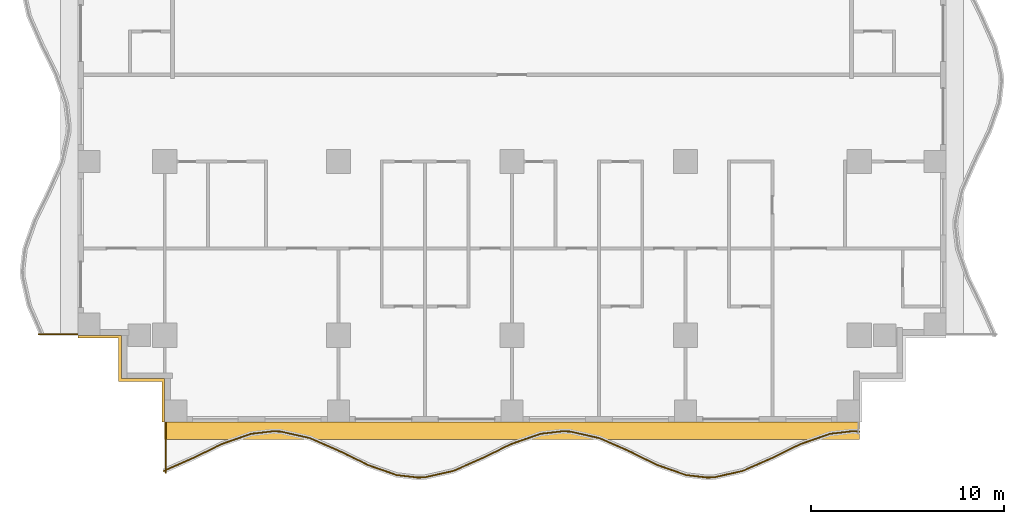
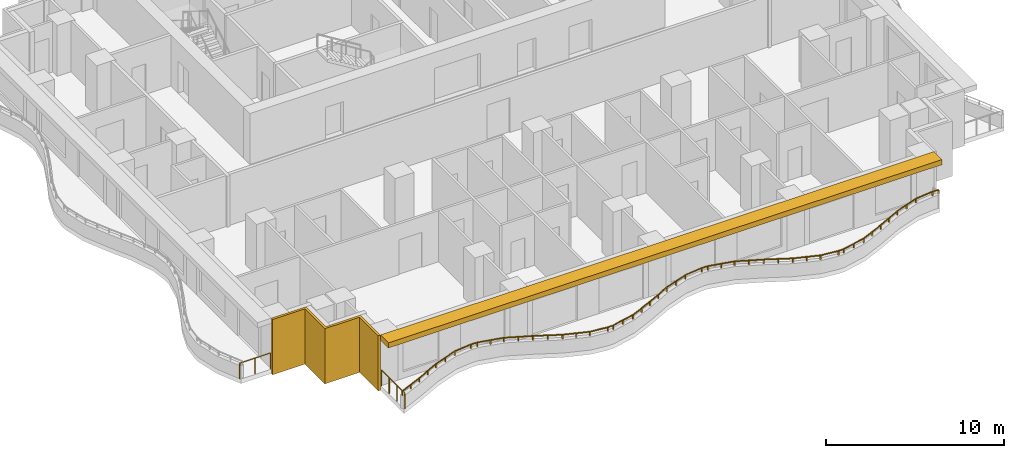
# One storey, part 7 of 10: 3 railings, 2 shading devices.
"""IFC4 building model written with IfcOpenShell, lengths in metres."""

from ifc_helpers import new_model, si_unit, direction, frame, origin, origin_2d, place, context, subcontext, project, spatial, polyline, rectangle, outline, extrude, material, layer, layer_set, type_object, element, save


model = new_model("IFC4")

# Units and contexts
model_context = context("Model", 3, precision=1e-05, world=origin(), true_north=direction((0.0, 1.0)))
body_context = subcontext(model_context, "Body", "Model", "MODEL_VIEW")
ifc_project = project(units=[si_unit("LENGTHUNIT", "METRE"), si_unit("AREAUNIT", "SQUARE_METRE"), si_unit("VOLUMEUNIT", "CUBIC_METRE"), si_unit("PLANEANGLEUNIT", "RADIAN"), si_unit("MASSUNIT", "GRAM", prefix="KILO")], contexts=[model_context])

# Site, building, storey
site_placement = place(None, origin())
site = spatial("IfcSite", under=ifc_project, at=site_placement, CompositionType="ELEMENT")
building_placement = place(site_placement, origin())
building = spatial("IfcBuilding", under=site, at=building_placement, Name="Orbiselva Terraces", CompositionType="ELEMENT")
storey_placement = place(building_placement, frame((0.0, 0.0, 155.4)))
storey = spatial("IfcBuildingStorey", under=building, at=storey_placement, Name="L39", CompositionType="ELEMENT", Elevation=155.4)

# Railings
ifc_material_1 = material(Name="Bonded two-ply safety glass balustrade, stainless steel posts", Category="steel")
railing_type_1 = type_object("IfcRailingType", Name="ENV-BALUSTRADE-1200", PredefinedType="BALUSTRADE", material=ifc_material_1)
railing_1_placement = place(storey_placement, frame((-18.050394, -20.534136, 0.9)))
element("IfcRailing", 1, at=railing_1_placement, inside=storey, type_object=railing_type_1, Name="Balcony balustrade L39 S", PredefinedType="BALUSTRADE", context=body_context, shape_type="SweptSolid", body=[
    extrude(outline(polyline([(0.028868, 0.0), (0.014434, 0.025), (-0.014434, 0.025), (-0.028868, 0.0), (-0.014434, -0.025), (0.014434, -0.025), (0.028868, 0.0)])), frame((0.0, 0.0, 0.275), z_axis=(0.915133498047, 0.403150940408, 0.0), x_axis=(-0.403150940408, 0.915133498047, 0.0)), (0.0, 0.0, 1.0), 1.636648),
    extrude(outline(polyline([(0.028868, 0.0), (0.014434, 0.025), (-0.014434, 0.025), (-0.028868, 0.0), (-0.014434, -0.025), (0.014434, -0.025), (0.028868, 0.0)])), frame((1.497751, 0.659816, 0.275), z_axis=(0.898578870221, 0.438812048596, 0.0), x_axis=(-0.438812048596, 0.898578870221, 0.0)), (0.0, 0.0, 1.0), 1.674225),
    extrude(outline(polyline([(0.028868, 0.0), (0.014434, 0.025), (-0.014434, 0.025), (-0.028868, 0.0), (-0.014434, -0.025), (0.014434, -0.025), (0.028868, 0.0)])), frame((3.002174, 1.394486, 0.275), z_axis=(0.943972332783, 0.330024597479, 0.0), x_axis=(-0.330024597479, 0.943972332783, 0.0)), (0.0, 0.0, 1.0), 1.610253),
    extrude(outline(polyline([(0.028868, 0.0), (0.014434, 0.025), (-0.014434, 0.025), (-0.028868, 0.0), (-0.014434, -0.025), (0.014434, -0.025), (0.028868, 0.0)])), frame((4.522208, 1.925909, 0.275), z_axis=(0.993309551734, 0.115482182324, 0.0), x_axis=(-0.115482182324, 0.993309551734, 0.0)), (0.0, 0.0, 1.0), 1.156135),
    extrude(outline(polyline([(0.028868, 0.0), (0.014434, 0.025), (-0.014434, 0.025), (-0.028868, 0.0), (-0.014434, -0.025), (0.014434, -0.025), (0.028868, 0.0)])), frame((5.670608, 2.059422, 0.275), z_axis=(0.999224734286, -0.03936915532, 0.0), x_axis=(0.03936915532, 0.999224734286, 0.0)), (0.0, 0.0, 1.0), 0.396376),
    extrude(outline(polyline([(0.028868, 0.0), (0.014434, 0.025), (-0.014434, 0.025), (-0.028868, 0.0), (-0.014434, -0.025), (0.014434, -0.025), (0.028868, 0.0)])), frame((6.066677, 2.043817, 0.275), z_axis=(0.97572137947, -0.219015500924, 0.0), x_axis=(0.219015500924, 0.97572137947, 0.0)), (0.0, 0.0, 1.0), 1.560867),
    extrude(outline(polyline([(0.028868, 0.0), (0.014434, 0.025), (-0.014434, 0.025), (-0.028868, 0.0), (-0.014434, -0.025), (0.014434, -0.025), (0.028868, 0.0)])), frame((7.589648, 1.701963, 0.275), z_axis=(0.915133527237, -0.403150874148, 0.0), x_axis=(0.403150874148, 0.915133527237, 0.0)), (0.0, 0.0, 1.0), 1.653736),
    extrude(outline(polyline([(0.028868, 0.0), (0.014434, 0.025), (-0.014434, 0.025), (-0.028868, 0.0), (-0.014434, -0.025), (0.014434, -0.025), (0.028868, 0.0)])), frame((9.103037, 1.035258, 0.275), z_axis=(0.89857890432, -0.438811978768, 0.0), x_axis=(0.438811978768, 0.89857890432, 0.0)), (0.0, 0.0, 1.0), 1.66438),
    extrude(outline(polyline([(0.028868, 0.0), (0.014434, 0.025), (-0.014434, 0.025), (-0.028868, 0.0), (-0.014434, -0.025), (0.014434, -0.025), (0.028868, 0.0)])), frame((10.598614, 0.304908, 0.275), z_axis=(0.943972277814, -0.330024754707, 0.0), x_axis=(0.330024754707, 0.943972277814, 0.0)), (0.0, 0.0, 1.0), 1.567807),
    extrude(outline(polyline([(0.028868, 0.0), (0.014434, 0.025), (-0.014434, 0.025), (-0.028868, 0.0), (-0.014434, -0.025), (0.014434, -0.025), (0.028868, 0.0)])), frame((12.07858, -0.212507, 0.275), z_axis=(0.993309658409, -0.115481264762, 0.0), x_axis=(0.115481264762, 0.993309658409, 0.0)), (0.0, 0.0, 1.0), 1.10902),
    extrude(outline(polyline([(0.028868, 0.0), (0.014434, 0.025), (-0.014434, 0.025), (-0.028868, 0.0), (-0.014434, -0.025), (0.014434, -0.025), (0.028868, 0.0)])), frame((13.18018, -0.340578, 0.275), z_axis=(0.999224931454, 0.039364150694, 0.0), x_axis=(-0.039364150694, 0.999224931454, 0.0)), (0.0, 0.0, 1.0), 0.354206),
    extrude(outline(polyline([(0.028868, 0.0), (0.014434, 0.025), (-0.014434, 0.025), (-0.028868, 0.0), (-0.014434, -0.025), (0.014434, -0.025), (0.028868, 0.0)])), frame((13.534111, -0.326635, 0.275), z_axis=(0.975721325753, 0.219015740235, 0.0), x_axis=(-0.219015740235, 0.975721325753, 0.0)), (0.0, 0.0, 1.0), 1.513782),
    extrude(outline(polyline([(0.028868, 0.0), (0.014434, 0.025), (-0.014434, 0.025), (-0.028868, 0.0), (-0.014434, -0.025), (0.014434, -0.025), (0.028868, 0.0)])), frame((15.01114, 0.004907, 0.275), z_axis=(0.915133363686, 0.403151245402, 0.0), x_axis=(-0.403151245402, 0.915133363686, 0.0)), (0.0, 0.0, 1.0), 1.624475),
    extrude(outline(polyline([(0.028868, 0.0), (0.014434, 0.025), (-0.014434, 0.025), (-0.028868, 0.0), (-0.014434, -0.025), (0.014434, -0.025), (0.028868, 0.0)])), frame((16.497751, 0.659816, 0.275), z_axis=(0.898578870221, 0.438812048596, 0.0), x_axis=(-0.438812048596, 0.898578870221, 0.0)), (0.0, 0.0, 1.0), 1.674225),
    extrude(outline(polyline([(0.028868, 0.0), (0.014434, 0.025), (-0.014434, 0.025), (-0.028868, 0.0), (-0.014434, -0.025), (0.014434, -0.025), (0.028868, 0.0)])), frame((18.002174, 1.394486, 0.275), z_axis=(0.943972332783, 0.330024597479, 0.0), x_axis=(-0.330024597479, 0.943972332783, 0.0)), (0.0, 0.0, 1.0), 1.610253),
    extrude(outline(polyline([(0.028868, 0.0), (0.014434, 0.025), (-0.014434, 0.025), (-0.028868, 0.0), (-0.014434, -0.025), (0.014434, -0.025), (0.028868, 0.0)])), frame((19.522208, 1.925909, 0.275), z_axis=(0.993309551734, 0.115482182324, 0.0), x_axis=(-0.115482182324, 0.993309551734, 0.0)), (0.0, 0.0, 1.0), 1.156135),
    extrude(outline(polyline([(0.028868, 0.0), (0.014434, 0.025), (-0.014434, 0.025), (-0.028868, 0.0), (-0.014434, -0.025), (0.014434, -0.025), (0.028868, 0.0)])), frame((20.670608, 2.059422, 0.275), z_axis=(0.999224734286, -0.03936915532, 0.0), x_axis=(0.03936915532, 0.999224734286, 0.0)), (0.0, 0.0, 1.0), 0.396376),
    extrude(outline(polyline([(0.028868, 0.0), (0.014434, 0.025), (-0.014434, 0.025), (-0.028868, 0.0), (-0.014434, -0.025), (0.014434, -0.025), (0.028868, 0.0)])), frame((21.066677, 2.043817, 0.275), z_axis=(0.97572137947, -0.219015500924, 0.0), x_axis=(0.219015500924, 0.97572137947, 0.0)), (0.0, 0.0, 1.0), 1.560867),
    extrude(outline(polyline([(0.028868, 0.0), (0.014434, 0.025), (-0.014434, 0.025), (-0.028868, 0.0), (-0.014434, -0.025), (0.014434, -0.025), (0.028868, 0.0)])), frame((22.589648, 1.701963, 0.275), z_axis=(0.915133527237, -0.403150874148, 0.0), x_axis=(0.403150874148, 0.915133527237, 0.0)), (0.0, 0.0, 1.0), 1.653736),
    extrude(outline(polyline([(0.028868, 0.0), (0.014434, 0.025), (-0.014434, 0.025), (-0.028868, 0.0), (-0.014434, -0.025), (0.014434, -0.025), (0.028868, 0.0)])), frame((24.103037, 1.035258, 0.275), z_axis=(0.89857890432, -0.438811978768, 0.0), x_axis=(0.438811978768, 0.89857890432, 0.0)), (0.0, 0.0, 1.0), 1.66438),
    extrude(outline(polyline([(0.028868, 0.0), (0.014434, 0.025), (-0.014434, 0.025), (-0.028868, 0.0), (-0.014434, -0.025), (0.014434, -0.025), (0.028868, 0.0)])), frame((25.598614, 0.304908, 0.275), z_axis=(0.943972277814, -0.330024754707, 0.0), x_axis=(0.330024754707, 0.943972277814, 0.0)), (0.0, 0.0, 1.0), 1.567807),
    extrude(outline(polyline([(0.028868, 0.0), (0.014434, 0.025), (-0.014434, 0.025), (-0.028868, 0.0), (-0.014434, -0.025), (0.014434, -0.025), (0.028868, 0.0)])), frame((27.07858, -0.212507, 0.275), z_axis=(0.993309658409, -0.115481264762, 0.0), x_axis=(0.115481264762, 0.993309658409, 0.0)), (0.0, 0.0, 1.0), 1.10902),
    extrude(outline(polyline([(0.028868, 0.0), (0.014434, 0.025), (-0.014434, 0.025), (-0.028868, 0.0), (-0.014434, -0.025), (0.014434, -0.025), (0.028868, 0.0)])), frame((28.18018, -0.340578, 0.275), z_axis=(0.999224931454, 0.039364150694, 0.0), x_axis=(-0.039364150694, 0.999224931454, 0.0)), (0.0, 0.0, 1.0), 0.354206),
    extrude(outline(polyline([(0.028868, 0.0), (0.014434, 0.025), (-0.014434, 0.025), (-0.028868, 0.0), (-0.014434, -0.025), (0.014434, -0.025), (0.028868, 0.0)])), frame((28.534111, -0.326635, 0.275), z_axis=(0.975721325753, 0.219015740235, 0.0), x_axis=(-0.219015740235, 0.975721325753, 0.0)), (0.0, 0.0, 1.0), 1.513782),
    extrude(outline(polyline([(0.028868, 0.0), (0.014434, 0.025), (-0.014434, 0.025), (-0.028868, 0.0), (-0.014434, -0.025), (0.014434, -0.025), (0.028868, 0.0)])), frame((30.01114, 0.004907, 0.275), z_axis=(0.915133363686, 0.403151245402, 0.0), x_axis=(-0.403151245402, 0.915133363686, 0.0)), (0.0, 0.0, 1.0), 1.624475),
    extrude(outline(polyline([(0.028868, 0.0), (0.014434, 0.025), (-0.014434, 0.025), (-0.028868, 0.0), (-0.014434, -0.025), (0.014434, -0.025), (0.028868, 0.0)])), frame((31.497751, 0.659816, 0.275), z_axis=(0.898578870221, 0.438812048596, 0.0), x_axis=(-0.438812048596, 0.898578870221, 0.0)), (0.0, 0.0, 1.0), 1.674225),
    extrude(outline(polyline([(0.028868, 0.0), (0.014434, 0.025), (-0.014434, 0.025), (-0.028868, 0.0), (-0.014434, -0.025), (0.014434, -0.025), (0.028868, 0.0)])), frame((33.002174, 1.394486, 0.275), z_axis=(0.943972332783, 0.330024597479, 0.0), x_axis=(-0.330024597479, 0.943972332783, 0.0)), (0.0, 0.0, 1.0), 1.610253),
    extrude(outline(polyline([(0.028868, 0.0), (0.014434, 0.025), (-0.014434, 0.025), (-0.028868, 0.0), (-0.014434, -0.025), (0.014434, -0.025), (0.028868, 0.0)])), frame((34.522208, 1.925909, 0.275), z_axis=(0.993309551734, 0.115482182324, 0.0), x_axis=(-0.115482182324, 0.993309551734, 0.0)), (0.0, 0.0, 1.0), 1.156135),
    extrude(outline(polyline([(0.028868, 0.0), (0.014434, 0.025), (-0.014434, 0.025), (-0.028868, 0.0), (-0.014434, -0.025), (0.014434, -0.025), (0.028868, 0.0)])), frame((35.670608, 2.059422, 0.275), z_axis=(0.999224769087, -0.039368272023, 0.0), x_axis=(0.039368272023, 0.999224769087, 0.0)), (0.0, 0.0, 1.0), 0.385005),
    extrude(rectangle(XDim=0.05, YDim=0.05, at=origin_2d()), origin(), (0.0, 0.0, 1.0), 0.25),
    extrude(rectangle(XDim=0.05, YDim=0.05, at=origin_2d()), frame((0.748876, 0.329908, 0.0)), (0.0, 0.0, 1.0), 0.25),
    extrude(rectangle(XDim=0.05, YDim=0.05, at=origin_2d()), frame((1.497751, 0.659816, 0.0)), (0.0, 0.0, 1.0), 0.25),
    extrude(rectangle(XDim=0.05, YDim=0.05, at=origin_2d()), frame((2.249963, 1.027151, 0.0)), (0.0, 0.0, 1.0), 0.25),
    extrude(rectangle(XDim=0.05, YDim=0.05, at=origin_2d()), frame((3.002174, 1.394486, 0.0)), (0.0, 0.0, 1.0), 0.25),
    extrude(rectangle(XDim=0.05, YDim=0.05, at=origin_2d()), frame((3.762191, 1.660198, 0.0)), (0.0, 0.0, 1.0), 0.25),
    extrude(rectangle(XDim=0.05, YDim=0.05, at=origin_2d()), frame((4.522208, 1.925909, 0.0)), (0.0, 0.0, 1.0), 0.25),
    extrude(rectangle(XDim=0.05, YDim=0.05, at=origin_2d()), frame((5.670608, 2.059422, 0.0)), (0.0, 0.0, 1.0), 0.25),
    extrude(rectangle(XDim=0.05, YDim=0.05, at=origin_2d()), frame((6.066677, 2.043817, 0.0)), (0.0, 0.0, 1.0), 0.25),
    extrude(rectangle(XDim=0.05, YDim=0.05, at=origin_2d()), frame((6.828162, 1.87289, 0.0)), (0.0, 0.0, 1.0), 0.25),
    extrude(rectangle(XDim=0.05, YDim=0.05, at=origin_2d()), frame((7.589648, 1.701963, 0.0)), (0.0, 0.0, 1.0), 0.25),
    extrude(rectangle(XDim=0.05, YDim=0.05, at=origin_2d()), frame((8.346342, 1.36861, 0.0)), (0.0, 0.0, 1.0), 0.25),
    extrude(rectangle(XDim=0.05, YDim=0.05, at=origin_2d()), frame((9.103037, 1.035258, 0.0)), (0.0, 0.0, 1.0), 0.25),
    extrude(rectangle(XDim=0.05, YDim=0.05, at=origin_2d()), frame((9.850826, 0.670083, 0.0)), (0.0, 0.0, 1.0), 0.25),
    extrude(rectangle(XDim=0.05, YDim=0.05, at=origin_2d()), frame((10.598614, 0.304908, 0.0)), (0.0, 0.0, 1.0), 0.25),
    extrude(rectangle(XDim=0.05, YDim=0.05, at=origin_2d()), frame((11.338597, 0.046201, 0.0)), (0.0, 0.0, 1.0), 0.25),
    extrude(rectangle(XDim=0.05, YDim=0.05, at=origin_2d()), frame((12.07858, -0.212507, 0.0)), (0.0, 0.0, 1.0), 0.25),
    extrude(rectangle(XDim=0.05, YDim=0.05, at=origin_2d()), frame((13.18018, -0.340578, 0.0)), (0.0, 0.0, 1.0), 0.25),
    extrude(rectangle(XDim=0.05, YDim=0.05, at=origin_2d()), frame((13.534111, -0.326635, 0.0)), (0.0, 0.0, 1.0), 0.25),
    extrude(rectangle(XDim=0.05, YDim=0.05, at=origin_2d()), frame((14.272626, -0.160864, 0.0)), (0.0, 0.0, 1.0), 0.25),
    extrude(rectangle(XDim=0.05, YDim=0.05, at=origin_2d()), frame((15.01114, 0.004907, 0.0)), (0.0, 0.0, 1.0), 0.25),
    extrude(rectangle(XDim=0.05, YDim=0.05, at=origin_2d()), frame((15.754446, 0.332361, 0.0)), (0.0, 0.0, 1.0), 0.25),
    extrude(rectangle(XDim=0.05, YDim=0.05, at=origin_2d()), frame((16.497751, 0.659816, 0.0)), (0.0, 0.0, 1.0), 0.25),
    extrude(rectangle(XDim=0.05, YDim=0.05, at=origin_2d()), frame((17.249963, 1.027151, 0.0)), (0.0, 0.0, 1.0), 0.25),
    extrude(rectangle(XDim=0.05, YDim=0.05, at=origin_2d()), frame((18.002174, 1.394486, 0.0)), (0.0, 0.0, 1.0), 0.25),
    extrude(rectangle(XDim=0.05, YDim=0.05, at=origin_2d()), frame((18.762191, 1.660198, 0.0)), (0.0, 0.0, 1.0), 0.25),
    extrude(rectangle(XDim=0.05, YDim=0.05, at=origin_2d()), frame((19.522208, 1.925909, 0.0)), (0.0, 0.0, 1.0), 0.25),
    extrude(rectangle(XDim=0.05, YDim=0.05, at=origin_2d()), frame((20.670608, 2.059422, 0.0)), (0.0, 0.0, 1.0), 0.25),
    extrude(rectangle(XDim=0.05, YDim=0.05, at=origin_2d()), frame((21.066677, 2.043817, 0.0)), (0.0, 0.0, 1.0), 0.25),
    extrude(rectangle(XDim=0.05, YDim=0.05, at=origin_2d()), frame((21.828162, 1.87289, 0.0)), (0.0, 0.0, 1.0), 0.25),
    extrude(rectangle(XDim=0.05, YDim=0.05, at=origin_2d()), frame((22.589648, 1.701963, 0.0)), (0.0, 0.0, 1.0), 0.25),
    extrude(rectangle(XDim=0.05, YDim=0.05, at=origin_2d()), frame((23.346342, 1.36861, 0.0)), (0.0, 0.0, 1.0), 0.25),
    extrude(rectangle(XDim=0.05, YDim=0.05, at=origin_2d()), frame((24.103037, 1.035258, 0.0)), (0.0, 0.0, 1.0), 0.25),
    extrude(rectangle(XDim=0.05, YDim=0.05, at=origin_2d()), frame((24.850826, 0.670083, 0.0)), (0.0, 0.0, 1.0), 0.25),
    extrude(rectangle(XDim=0.05, YDim=0.05, at=origin_2d()), frame((25.598614, 0.304908, 0.0)), (0.0, 0.0, 1.0), 0.25),
    extrude(rectangle(XDim=0.05, YDim=0.05, at=origin_2d()), frame((26.338597, 0.046201, 0.0)), (0.0, 0.0, 1.0), 0.25),
    extrude(rectangle(XDim=0.05, YDim=0.05, at=origin_2d()), frame((27.07858, -0.212507, 0.0)), (0.0, 0.0, 1.0), 0.25),
    extrude(rectangle(XDim=0.05, YDim=0.05, at=origin_2d()), frame((28.18018, -0.340578, 0.0)), (0.0, 0.0, 1.0), 0.25),
    extrude(rectangle(XDim=0.05, YDim=0.05, at=origin_2d()), frame((28.534111, -0.326635, 0.0)), (0.0, 0.0, 1.0), 0.25),
    extrude(rectangle(XDim=0.05, YDim=0.05, at=origin_2d()), frame((29.272626, -0.160864, 0.0)), (0.0, 0.0, 1.0), 0.25),
    extrude(rectangle(XDim=0.05, YDim=0.05, at=origin_2d()), frame((30.01114, 0.004907, 0.0)), (0.0, 0.0, 1.0), 0.25),
    extrude(rectangle(XDim=0.05, YDim=0.05, at=origin_2d()), frame((30.754446, 0.332361, 0.0)), (0.0, 0.0, 1.0), 0.25),
    extrude(rectangle(XDim=0.05, YDim=0.05, at=origin_2d()), frame((31.497751, 0.659816, 0.0)), (0.0, 0.0, 1.0), 0.25),
    extrude(rectangle(XDim=0.05, YDim=0.05, at=origin_2d()), frame((32.249962, 1.027151, 0.0)), (0.0, 0.0, 1.0), 0.25),
    extrude(rectangle(XDim=0.05, YDim=0.05, at=origin_2d()), frame((33.002174, 1.394486, 0.0)), (0.0, 0.0, 1.0), 0.25),
    extrude(rectangle(XDim=0.05, YDim=0.05, at=origin_2d()), frame((33.762191, 1.660198, 0.0)), (0.0, 0.0, 1.0), 0.25),
    extrude(rectangle(XDim=0.05, YDim=0.05, at=origin_2d()), frame((34.522208, 1.925909, 0.0)), (0.0, 0.0, 1.0), 0.25),
    extrude(rectangle(XDim=0.05, YDim=0.05, at=origin_2d()), frame((35.670608, 2.059422, 0.0)), (0.0, 0.0, 1.0), 0.25),
    extrude(rectangle(XDim=0.05, YDim=0.05, at=origin_2d()), frame((36.055315, 2.044265, 0.0)), (0.0, 0.0, 1.0), 0.25),
])
ifc_material_2 = material(Name="Stainless steel rail and posts", Category="steel")
railing_type_2 = type_object("IfcRailingType", Name="ENV-GUARD-1105", PredefinedType="BALUSTRADE", material=ifc_material_2)
railing_2_placement = place(storey_placement, frame((-17.94, -20.626937, 0.0)))
element("IfcRailing", 2, at=railing_2_placement, inside=storey, type_object=railing_type_2, Name="Balcony end guard L39 S", PredefinedType="BALUSTRADE", context=body_context, shape_type="SweptSolid", body=[
    extrude(outline(polyline([(0.028868, 0.0), (0.014434, 0.025), (-0.014434, 0.025), (-0.028868, 0.0), (-0.014434, -0.025), (0.014434, -0.025), (0.028868, 0.0)])), frame((0.0, 0.0, 1.08), z_axis=(0.0, 1.0, 0.0), x_axis=(-1.0, 0.0, 0.0)), (0.0, 0.0, 1.0), 2.601937),
    extrude(rectangle(XDim=0.05, YDim=0.05, at=origin_2d()), origin(), (0.0, 0.0, 1.0), 1.055),
    extrude(rectangle(XDim=0.05, YDim=0.05, at=origin_2d()), frame((0.0, 0.867312, 0.0)), (0.0, 0.0, 1.0), 1.055),
    extrude(rectangle(XDim=0.05, YDim=0.05, at=origin_2d()), frame((0.0, 1.734625, 0.0)), (0.0, 0.0, 1.0), 1.055),
    extrude(rectangle(XDim=0.05, YDim=0.05, at=origin_2d()), frame((0.0, 2.601937, 0.0)), (0.0, 0.0, 1.0), 1.055),
])
railing_3_placement = place(storey_placement, frame((-24.517447, -13.44, 0.0)))
element("IfcRailing", 3, at=railing_3_placement, inside=storey, type_object=railing_type_2, Name="Balcony end guard L39 W", PredefinedType="BALUSTRADE", context=body_context, shape_type="SweptSolid", body=[
    extrude(outline(polyline([(0.028868, 0.0), (0.014434, 0.025), (-0.014434, 0.025), (-0.028868, 0.0), (-0.014434, -0.025), (0.014434, -0.025), (0.028868, 0.0)])), frame((0.0, 0.0, 1.08), z_axis=(1.0, 0.0, 0.0), x_axis=(0.0, 1.0, 0.0)), (0.0, 0.0, 1.0), 1.992447),
    extrude(rectangle(XDim=0.05, YDim=0.05, at=origin_2d()), origin(), (0.0, 0.0, 1.0), 1.055),
    extrude(rectangle(XDim=0.05, YDim=0.05, at=origin_2d()), frame((0.996224, 0.0, 0.0)), (0.0, 0.0, 1.0), 1.055),
    extrude(rectangle(XDim=0.05, YDim=0.05, at=origin_2d()), frame((1.992447, 0.0, 0.0)), (0.0, 0.0, 1.0), 1.055),
])

# Shading devices
ifc_material_3 = material(Name="Terracotta louvre screen", Category="masonry")
ifc_layer_1 = layer(ifc_material_3, 0.15)
ifc_layer_set_1 = layer_set([ifc_layer_1], Name="Terracotta louvre screen")
shading_device_type_1 = type_object("IfcShadingDeviceType", Name="ENV-SCREEN-150", PredefinedType="USERDEFINED", material=ifc_layer_set_1)
shading_device_1_placement = place(storey_placement, frame((0.0, 0.0, -0.3)))
element("IfcShadingDevice", 4, at=shading_device_1_placement, inside=storey, type_object=shading_device_type_1, Name="Louvre screen L39 SW", ObjectType="SCREEN", PredefinedType="USERDEFINED", context=body_context, shape_type="SweptSolid", body=[
    extrude(outline(polyline([(-22.5, -13.65), (-20.4, -13.65), (-20.4, -15.9), (-18.15, -15.9), (-18.15, -18.0), (-18.0, -18.0), (-18.0, -15.75), (-20.25, -15.75), (-20.25, -13.5), (-22.5, -13.5), (-22.5, -13.65)])), origin(), (0.0, 0.0, 1.0), 3.8),
])
ifc_material_4 = material(Name="Terracotta baguette sunshade", Category="masonry")
ifc_layer_2 = layer(ifc_material_4, 0.35)
ifc_layer_set_2 = layer_set([ifc_layer_2], Name="Terracotta baguette sunshade")
shading_device_type_2 = type_object("IfcShadingDeviceType", Name="ENV-SUNSHADE-900x350", PredefinedType="USERDEFINED", material=ifc_layer_set_2)
shading_device_2_placement = place(storey_placement, frame((0.0, 0.0, 3.15)))
element("IfcShadingDevice", 5, at=shading_device_2_placement, inside=storey, type_object=shading_device_type_2, Name="Sunshade band L39 S", ObjectType="SUNSHADE", PredefinedType="USERDEFINED", context=body_context, shape_type="SweptSolid", body=[
    extrude(outline(polyline([(-18.0, -18.9), (18.0, -18.9), (18.0, -18.0), (-18.0, -18.0), (-18.0, -18.9)])), origin(), (0.0, 0.0, 1.0), 0.35),
])

save(model, "model.ifc")
